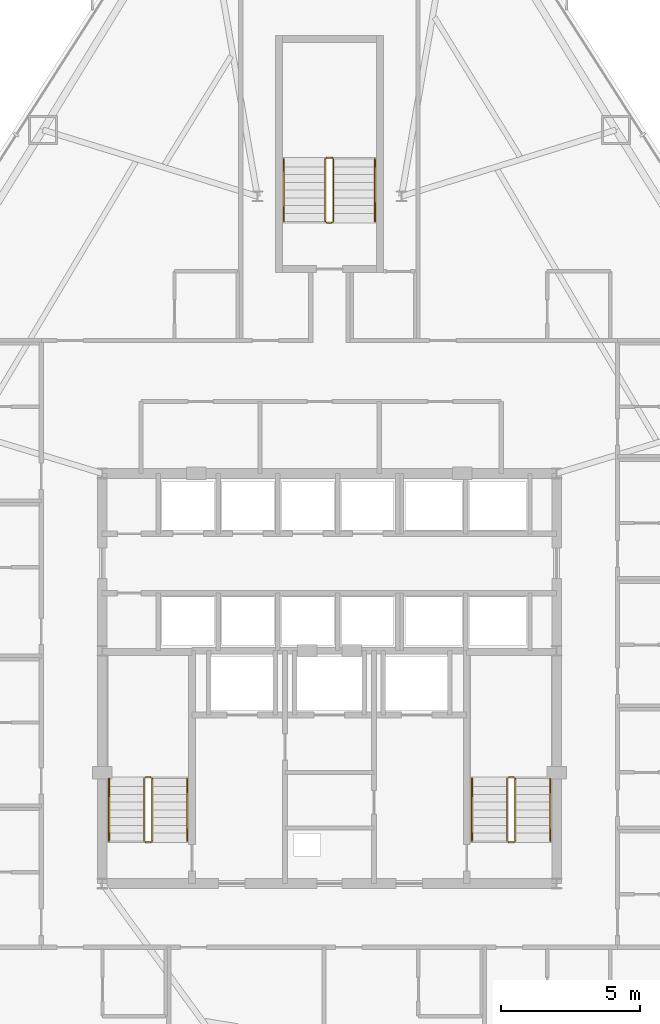
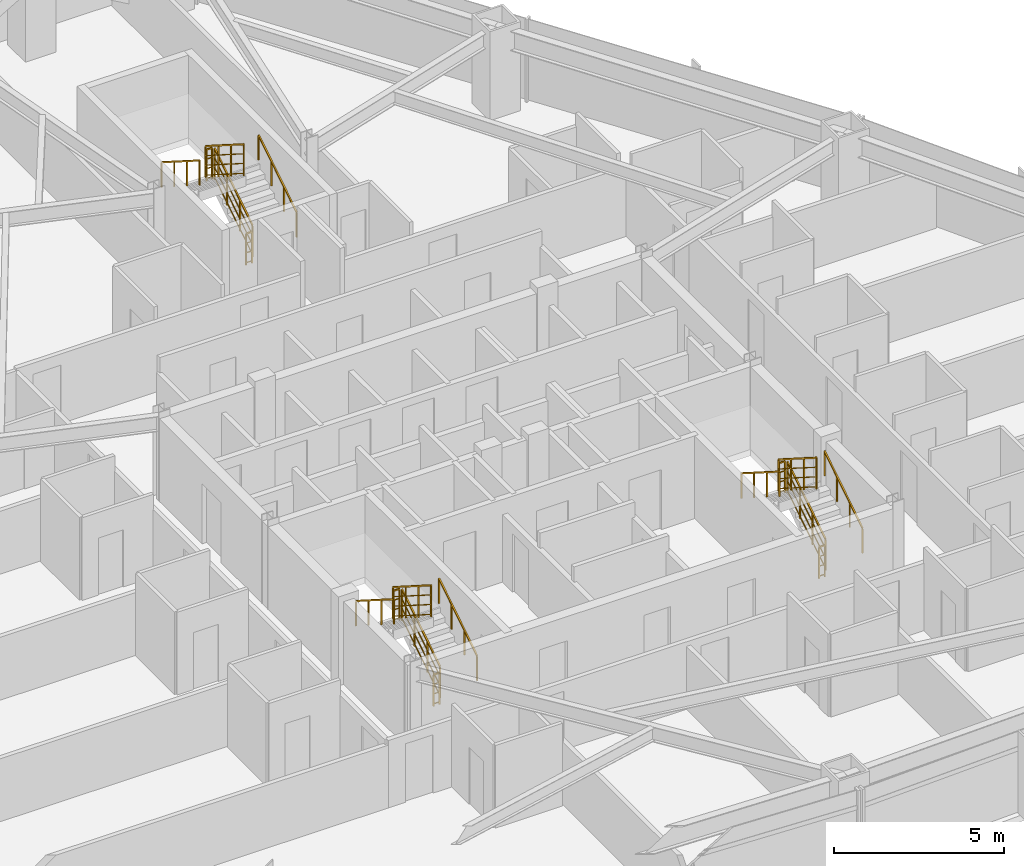
# One storey, part 13 of 13: 18 railings.
"""IFC4 building model written with IfcOpenShell, lengths in metres."""

from ifc_helpers import new_model, si_unit, direction, frame, origin, origin_2d, place, context, subcontext, project, spatial, rectangle, extrude, material, type_object, element, save


model = new_model("IFC4")

# Units and contexts
model_context = context("Model", 3, precision=1e-05, world=origin(), true_north=direction((0.0, 1.0)))
body_context = subcontext(model_context, "Body", "Model", "MODEL_VIEW")
ifc_project = project(units=[si_unit("LENGTHUNIT", "METRE"), si_unit("AREAUNIT", "SQUARE_METRE"), si_unit("VOLUMEUNIT", "CUBIC_METRE"), si_unit("PLANEANGLEUNIT", "RADIAN"), si_unit("MASSUNIT", "GRAM", prefix="KILO")], contexts=[model_context])

# Site, building, storey
site_placement = place(None, origin())
site = spatial("IfcSite", under=ifc_project, at=site_placement, CompositionType="ELEMENT")
building_placement = place(site_placement, origin())
building = spatial("IfcBuilding", under=site, at=building_placement, Name="Varakhsha Concourse Tower", CompositionType="ELEMENT")
storey_placement = place(building_placement, frame((0.0, 0.0, 86.199951171875)))
storey = spatial("IfcBuildingStorey", under=building, at=storey_placement, Name="L24", CompositionType="ELEMENT", Elevation=86.199951171875)

# Railings
ifc_material = material(Name="Brushed Austenitic Stainless Steel AISI 316", Category="steel")
railing_type_1 = type_object("IfcRailingType", Name="RL-STAIR-GUARD-1100", PredefinedType="GUARDRAIL", material=ifc_material)
railing_1_placement = place(storey_placement, frame((33.610107421875, 17.93994140625, 0.177734375)))
element("IfcRailing", 1, at=railing_1_placement, inside=storey, type_object=railing_type_1, Name="L24 ST1 stair guard 1", PredefinedType="GUARDRAIL", context=body_context, shape_type="SweptSolid", body=[
    extrude(rectangle(XDim=0.048095703125, YDim=0.048095703125, at=origin_2d()), frame((0.0, 0.0, 1.1259765625), z_axis=(0.0, 0.84418770128, 0.536047689118), x_axis=(-1.0, 0.0, 0.0)), (0.0, 0.0, 1.0), 2.6533203125),
    extrude(rectangle(XDim=0.028076171875, YDim=0.028076171875, at=origin_2d()), frame((0.0, 0.0, 0.080078125), z_axis=(0.0, 0.84418770128, 0.536047689118), x_axis=(-1.0, 0.0, 0.0)), (0.0, 0.0, 1.0), 2.6533203125),
    extrude(rectangle(XDim=0.028076171875, YDim=0.028076171875, at=origin_2d()), frame((0.0, 0.0, 0.43701171875), z_axis=(0.0, 0.84418770128, 0.536047689118), x_axis=(-1.0, 0.0, 0.0)), (0.0, 0.0, 1.0), 2.6533203125),
    extrude(rectangle(XDim=0.028076171875, YDim=0.028076171875, at=origin_2d()), frame((0.0, 0.0, 0.781982421875), z_axis=(0.0, 0.84418770128, 0.536047689118), x_axis=(-1.0, 0.0, 0.0)), (0.0, 0.0, 1.0), 2.6533203125),
    extrude(rectangle(XDim=0.0419921875, YDim=0.0419921875, at=origin_2d()), origin(), (0.0, 0.0, 1.0), 1.101806640625),
    extrude(rectangle(XDim=0.0419921875, YDim=0.0419921875, at=origin_2d()), frame((0.0, 0.74658203125, 0.47412109375)), (0.0, 0.0, 1.0), 1.101806640625),
    extrude(rectangle(XDim=0.0419921875, YDim=0.0419921875, at=origin_2d()), frame((0.0, 1.493408203125, 0.9482421875)), (0.0, 0.0, 1.0), 1.101806640625),
    extrude(rectangle(XDim=0.0419921875, YDim=0.0419921875, at=origin_2d()), frame((0.0, 2.239990234375, 1.42236328125)), (0.0, 0.0, 1.0), 1.101806640625),
])
railing_2_placement = place(storey_placement, frame((33.56005859375, 20.22998046875, 1.60009765625)))
element("IfcRailing", 2, at=railing_2_placement, inside=storey, type_object=railing_type_1, Name="L24 ST1 stair guard 2", PredefinedType="GUARDRAIL", context=body_context, shape_type="SweptSolid", body=[
    extrude(rectangle(XDim=0.048095703125, YDim=0.048095703125, at=origin_2d()), frame((0.0, 0.0, 1.1259765625), z_axis=(-1.0, 0.0, 0.0), x_axis=(0.0, -1.0, 0.0)), (0.0, 0.0, 1.0), 0.199951171875),
    extrude(rectangle(XDim=0.028076171875, YDim=0.028076171875, at=origin_2d()), frame((0.0, 0.0, 0.080078125), z_axis=(-1.0, 0.0, 0.0), x_axis=(0.0, -1.0, 0.0)), (0.0, 0.0, 1.0), 0.199951171875),
    extrude(rectangle(XDim=0.028076171875, YDim=0.028076171875, at=origin_2d()), frame((0.0, 0.0, 0.43701171875), z_axis=(-1.0, 0.0, 0.0), x_axis=(0.0, -1.0, 0.0)), (0.0, 0.0, 1.0), 0.199951171875),
    extrude(rectangle(XDim=0.028076171875, YDim=0.028076171875, at=origin_2d()), frame((0.0, 0.0, 0.781982421875), z_axis=(-1.0, 0.0, 0.0), x_axis=(0.0, -1.0, 0.0)), (0.0, 0.0, 1.0), 0.199951171875),
    extrude(rectangle(XDim=0.0419921875, YDim=0.0419921875, at=origin_2d()), origin(), (0.0, 0.0, 1.0), 1.101806640625),
    extrude(rectangle(XDim=0.0419921875, YDim=0.0419921875, at=origin_2d()), frame((-0.199951171875, 0.0, 0.0)), (0.0, 0.0, 1.0), 1.101806640625),
])
railing_3_placement = place(storey_placement, frame((33.31005859375, 20.179931640625, 1.77783203125)))
element("IfcRailing", 3, at=railing_3_placement, inside=storey, type_object=railing_type_1, Name="L24 ST1 stair guard 3", PredefinedType="GUARDRAIL", context=body_context, shape_type="SweptSolid", body=[
    extrude(rectangle(XDim=0.048095703125, YDim=0.048095703125, at=origin_2d()), frame((0.0, 0.0, 1.1259765625), z_axis=(0.0, -0.8442293374, 0.53598211339), x_axis=(1.0, 0.0, 0.0)), (0.0, 0.0, 1.0), 2.6533203125),
    extrude(rectangle(XDim=0.028076171875, YDim=0.028076171875, at=origin_2d()), frame((0.0, 0.0, 0.080078125), z_axis=(0.0, -0.8442293374, 0.53598211339), x_axis=(1.0, 0.0, 0.0)), (0.0, 0.0, 1.0), 2.6533203125),
    extrude(rectangle(XDim=0.028076171875, YDim=0.028076171875, at=origin_2d()), frame((0.0, 0.0, 0.43701171875), z_axis=(0.0, -0.8442293374, 0.53598211339), x_axis=(1.0, 0.0, 0.0)), (0.0, 0.0, 1.0), 2.6533203125),
    extrude(rectangle(XDim=0.028076171875, YDim=0.028076171875, at=origin_2d()), frame((0.0, 0.0, 0.781982421875), z_axis=(0.0, -0.8442293374, 0.53598211339), x_axis=(1.0, 0.0, 0.0)), (0.0, 0.0, 1.0), 2.6533203125),
    extrude(rectangle(XDim=0.0419921875, YDim=0.0419921875, at=origin_2d()), origin(), (0.0, 0.0, 1.0), 1.101806640625),
    extrude(rectangle(XDim=0.0419921875, YDim=0.0419921875, at=origin_2d()), frame((0.0, -0.74658203125, 0.47412109375)), (0.0, 0.0, 1.0), 1.101806640625),
    extrude(rectangle(XDim=0.0419921875, YDim=0.0419921875, at=origin_2d()), frame((0.0, -1.493408203125, 0.947998046875)), (0.0, 0.0, 1.0), 1.101806640625),
    extrude(rectangle(XDim=0.0419921875, YDim=0.0419921875, at=origin_2d()), frame((0.0, -2.239990234375, 1.422119140625)), (0.0, 0.0, 1.0), 1.101806640625),
])
railing_4_placement = place(storey_placement, frame((33.56005859375, 17.889892578125, 0.0)))
element("IfcRailing", 4, at=railing_4_placement, inside=storey, type_object=railing_type_1, Name="L24 ST1 stair guard 4", PredefinedType="GUARDRAIL", context=body_context, shape_type="SweptSolid", body=[
    extrude(rectangle(XDim=0.048095703125, YDim=0.048095703125, at=origin_2d()), frame((0.0, 0.0, 1.1259765625), z_axis=(-1.0, 0.0, 0.0), x_axis=(0.0, -1.0, 0.0)), (0.0, 0.0, 1.0), 0.199951171875),
    extrude(rectangle(XDim=0.028076171875, YDim=0.028076171875, at=origin_2d()), frame((0.0, 0.0, 0.080078125), z_axis=(-1.0, 0.0, 0.0), x_axis=(0.0, -1.0, 0.0)), (0.0, 0.0, 1.0), 0.199951171875),
    extrude(rectangle(XDim=0.028076171875, YDim=0.028076171875, at=origin_2d()), frame((0.0, 0.0, 0.43701171875), z_axis=(-1.0, 0.0, 0.0), x_axis=(0.0, -1.0, 0.0)), (0.0, 0.0, 1.0), 0.199951171875),
    extrude(rectangle(XDim=0.028076171875, YDim=0.028076171875, at=origin_2d()), frame((0.0, 0.0, 0.781982421875), z_axis=(-1.0, 0.0, 0.0), x_axis=(0.0, -1.0, 0.0)), (0.0, 0.0, 1.0), 0.199951171875),
    extrude(rectangle(XDim=0.0419921875, YDim=0.0419921875, at=origin_2d()), origin(), (0.0, 0.0, 1.0), 1.101806640625),
    extrude(rectangle(XDim=0.0419921875, YDim=0.0419921875, at=origin_2d()), frame((-0.199951171875, 0.0, 0.0)), (0.0, 0.0, 1.0), 1.101806640625),
])
railing_5_placement = place(storey_placement, frame((46.7099609375, 17.93994140625, 0.177734375)))
element("IfcRailing", 5, at=railing_5_placement, inside=storey, type_object=railing_type_1, Name="L24 ST2 stair guard 1", PredefinedType="GUARDRAIL", context=body_context, shape_type="SweptSolid", body=[
    extrude(rectangle(XDim=0.048095703125, YDim=0.048095703125, at=origin_2d()), frame((0.0, 0.0, 1.1259765625), z_axis=(0.0, 0.84418770128, 0.536047689118), x_axis=(-1.0, 0.0, 0.0)), (0.0, 0.0, 1.0), 2.6533203125),
    extrude(rectangle(XDim=0.028076171875, YDim=0.028076171875, at=origin_2d()), frame((0.0, 0.0, 0.080078125), z_axis=(0.0, 0.84418770128, 0.536047689118), x_axis=(-1.0, 0.0, 0.0)), (0.0, 0.0, 1.0), 2.6533203125),
    extrude(rectangle(XDim=0.028076171875, YDim=0.028076171875, at=origin_2d()), frame((0.0, 0.0, 0.43701171875), z_axis=(0.0, 0.84418770128, 0.536047689118), x_axis=(-1.0, 0.0, 0.0)), (0.0, 0.0, 1.0), 2.6533203125),
    extrude(rectangle(XDim=0.028076171875, YDim=0.028076171875, at=origin_2d()), frame((0.0, 0.0, 0.781982421875), z_axis=(0.0, 0.84418770128, 0.536047689118), x_axis=(-1.0, 0.0, 0.0)), (0.0, 0.0, 1.0), 2.6533203125),
    extrude(rectangle(XDim=0.0419921875, YDim=0.0419921875, at=origin_2d()), origin(), (0.0, 0.0, 1.0), 1.101806640625),
    extrude(rectangle(XDim=0.0419921875, YDim=0.0419921875, at=origin_2d()), frame((0.0, 0.74658203125, 0.47412109375)), (0.0, 0.0, 1.0), 1.101806640625),
    extrude(rectangle(XDim=0.0419921875, YDim=0.0419921875, at=origin_2d()), frame((0.0, 1.493408203125, 0.9482421875)), (0.0, 0.0, 1.0), 1.101806640625),
    extrude(rectangle(XDim=0.0419921875, YDim=0.0419921875, at=origin_2d()), frame((0.0, 2.239990234375, 1.42236328125)), (0.0, 0.0, 1.0), 1.101806640625),
])
railing_6_placement = place(storey_placement, frame((46.659912109375, 20.22998046875, 1.60009765625)))
element("IfcRailing", 6, at=railing_6_placement, inside=storey, type_object=railing_type_1, Name="L24 ST2 stair guard 2", PredefinedType="GUARDRAIL", context=body_context, shape_type="SweptSolid", body=[
    extrude(rectangle(XDim=0.048095703125, YDim=0.048095703125, at=origin_2d()), frame((0.0, 0.0, 1.1259765625), z_axis=(-1.0, 0.0, 0.0), x_axis=(0.0, -1.0, 0.0)), (0.0, 0.0, 1.0), 0.199951171875),
    extrude(rectangle(XDim=0.028076171875, YDim=0.028076171875, at=origin_2d()), frame((0.0, 0.0, 0.080078125), z_axis=(-1.0, 0.0, 0.0), x_axis=(0.0, -1.0, 0.0)), (0.0, 0.0, 1.0), 0.199951171875),
    extrude(rectangle(XDim=0.028076171875, YDim=0.028076171875, at=origin_2d()), frame((0.0, 0.0, 0.43701171875), z_axis=(-1.0, 0.0, 0.0), x_axis=(0.0, -1.0, 0.0)), (0.0, 0.0, 1.0), 0.199951171875),
    extrude(rectangle(XDim=0.028076171875, YDim=0.028076171875, at=origin_2d()), frame((0.0, 0.0, 0.781982421875), z_axis=(-1.0, 0.0, 0.0), x_axis=(0.0, -1.0, 0.0)), (0.0, 0.0, 1.0), 0.199951171875),
    extrude(rectangle(XDim=0.0419921875, YDim=0.0419921875, at=origin_2d()), origin(), (0.0, 0.0, 1.0), 1.101806640625),
    extrude(rectangle(XDim=0.0419921875, YDim=0.0419921875, at=origin_2d()), frame((-0.199951171875, 0.0, 0.0)), (0.0, 0.0, 1.0), 1.101806640625),
])
railing_7_placement = place(storey_placement, frame((46.409912109375, 20.179931640625, 1.77783203125)))
element("IfcRailing", 7, at=railing_7_placement, inside=storey, type_object=railing_type_1, Name="L24 ST2 stair guard 3", PredefinedType="GUARDRAIL", context=body_context, shape_type="SweptSolid", body=[
    extrude(rectangle(XDim=0.048095703125, YDim=0.048095703125, at=origin_2d()), frame((0.0, 0.0, 1.1259765625), z_axis=(0.0, -0.8442293374, 0.53598211339), x_axis=(1.0, 0.0, 0.0)), (0.0, 0.0, 1.0), 2.6533203125),
    extrude(rectangle(XDim=0.028076171875, YDim=0.028076171875, at=origin_2d()), frame((0.0, 0.0, 0.080078125), z_axis=(0.0, -0.8442293374, 0.53598211339), x_axis=(1.0, 0.0, 0.0)), (0.0, 0.0, 1.0), 2.6533203125),
    extrude(rectangle(XDim=0.028076171875, YDim=0.028076171875, at=origin_2d()), frame((0.0, 0.0, 0.43701171875), z_axis=(0.0, -0.8442293374, 0.53598211339), x_axis=(1.0, 0.0, 0.0)), (0.0, 0.0, 1.0), 2.6533203125),
    extrude(rectangle(XDim=0.028076171875, YDim=0.028076171875, at=origin_2d()), frame((0.0, 0.0, 0.781982421875), z_axis=(0.0, -0.8442293374, 0.53598211339), x_axis=(1.0, 0.0, 0.0)), (0.0, 0.0, 1.0), 2.6533203125),
    extrude(rectangle(XDim=0.0419921875, YDim=0.0419921875, at=origin_2d()), origin(), (0.0, 0.0, 1.0), 1.101806640625),
    extrude(rectangle(XDim=0.0419921875, YDim=0.0419921875, at=origin_2d()), frame((0.0, -0.74658203125, 0.47412109375)), (0.0, 0.0, 1.0), 1.101806640625),
    extrude(rectangle(XDim=0.0419921875, YDim=0.0419921875, at=origin_2d()), frame((0.0, -1.493408203125, 0.947998046875)), (0.0, 0.0, 1.0), 1.101806640625),
    extrude(rectangle(XDim=0.0419921875, YDim=0.0419921875, at=origin_2d()), frame((0.0, -2.239990234375, 1.422119140625)), (0.0, 0.0, 1.0), 1.101806640625),
])
railing_8_placement = place(storey_placement, frame((46.659912109375, 17.889892578125, 0.0)))
element("IfcRailing", 8, at=railing_8_placement, inside=storey, type_object=railing_type_1, Name="L24 ST2 stair guard 4", PredefinedType="GUARDRAIL", context=body_context, shape_type="SweptSolid", body=[
    extrude(rectangle(XDim=0.048095703125, YDim=0.048095703125, at=origin_2d()), frame((0.0, 0.0, 1.1259765625), z_axis=(-1.0, 0.0, 0.0), x_axis=(0.0, -1.0, 0.0)), (0.0, 0.0, 1.0), 0.199951171875),
    extrude(rectangle(XDim=0.028076171875, YDim=0.028076171875, at=origin_2d()), frame((0.0, 0.0, 0.080078125), z_axis=(-1.0, 0.0, 0.0), x_axis=(0.0, -1.0, 0.0)), (0.0, 0.0, 1.0), 0.199951171875),
    extrude(rectangle(XDim=0.028076171875, YDim=0.028076171875, at=origin_2d()), frame((0.0, 0.0, 0.43701171875), z_axis=(-1.0, 0.0, 0.0), x_axis=(0.0, -1.0, 0.0)), (0.0, 0.0, 1.0), 0.199951171875),
    extrude(rectangle(XDim=0.028076171875, YDim=0.028076171875, at=origin_2d()), frame((0.0, 0.0, 0.781982421875), z_axis=(-1.0, 0.0, 0.0), x_axis=(0.0, -1.0, 0.0)), (0.0, 0.0, 1.0), 0.199951171875),
    extrude(rectangle(XDim=0.0419921875, YDim=0.0419921875, at=origin_2d()), origin(), (0.0, 0.0, 1.0), 1.101806640625),
    extrude(rectangle(XDim=0.0419921875, YDim=0.0419921875, at=origin_2d()), frame((-0.199951171875, 0.0, 0.0)), (0.0, 0.0, 1.0), 1.101806640625),
])
railing_9_placement = place(storey_placement, frame((40.14990234375, 40.300048828125, 0.177734375)))
element("IfcRailing", 9, at=railing_9_placement, inside=storey, type_object=railing_type_1, Name="L24 ST5 stair guard 1", PredefinedType="GUARDRAIL", context=body_context, shape_type="SweptSolid", body=[
    extrude(rectangle(XDim=0.048095703125, YDim=0.048095703125, at=origin_2d()), frame((0.0, 0.0, 1.1259765625), z_axis=(0.0, 0.84418770128, 0.536047689118), x_axis=(-1.0, 0.0, 0.0)), (0.0, 0.0, 1.0), 2.6533203125),
    extrude(rectangle(XDim=0.028076171875, YDim=0.028076171875, at=origin_2d()), frame((0.0, 0.0, 0.080078125), z_axis=(0.0, 0.84418770128, 0.536047689118), x_axis=(-1.0, 0.0, 0.0)), (0.0, 0.0, 1.0), 2.6533203125),
    extrude(rectangle(XDim=0.028076171875, YDim=0.028076171875, at=origin_2d()), frame((0.0, 0.0, 0.43701171875), z_axis=(0.0, 0.84418770128, 0.536047689118), x_axis=(-1.0, 0.0, 0.0)), (0.0, 0.0, 1.0), 2.6533203125),
    extrude(rectangle(XDim=0.028076171875, YDim=0.028076171875, at=origin_2d()), frame((0.0, 0.0, 0.781982421875), z_axis=(0.0, 0.84418770128, 0.536047689118), x_axis=(-1.0, 0.0, 0.0)), (0.0, 0.0, 1.0), 2.6533203125),
    extrude(rectangle(XDim=0.0419921875, YDim=0.0419921875, at=origin_2d()), origin(), (0.0, 0.0, 1.0), 1.101806640625),
    extrude(rectangle(XDim=0.0419921875, YDim=0.0419921875, at=origin_2d()), frame((0.0, 0.74658203125, 0.47412109375)), (0.0, 0.0, 1.0), 1.101806640625),
    extrude(rectangle(XDim=0.0419921875, YDim=0.0419921875, at=origin_2d()), frame((0.0, 1.493408203125, 0.9482421875)), (0.0, 0.0, 1.0), 1.101806640625),
    extrude(rectangle(XDim=0.0419921875, YDim=0.0419921875, at=origin_2d()), frame((0.0, 2.239990234375, 1.42236328125)), (0.0, 0.0, 1.0), 1.101806640625),
])
railing_10_placement = place(storey_placement, frame((40.10009765625, 42.590087890625, 1.60009765625)))
element("IfcRailing", 10, at=railing_10_placement, inside=storey, type_object=railing_type_1, Name="L24 ST5 stair guard 2", PredefinedType="GUARDRAIL", context=body_context, shape_type="SweptSolid", body=[
    extrude(rectangle(XDim=0.048095703125, YDim=0.048095703125, at=origin_2d()), frame((0.0, 0.0, 1.1259765625), z_axis=(-1.0, 0.0, 0.0), x_axis=(0.0, -1.0, 0.0)), (0.0, 0.0, 1.0), 0.2001953125),
    extrude(rectangle(XDim=0.028076171875, YDim=0.028076171875, at=origin_2d()), frame((0.0, 0.0, 0.080078125), z_axis=(-1.0, 0.0, 0.0), x_axis=(0.0, -1.0, 0.0)), (0.0, 0.0, 1.0), 0.2001953125),
    extrude(rectangle(XDim=0.028076171875, YDim=0.028076171875, at=origin_2d()), frame((0.0, 0.0, 0.43701171875), z_axis=(-1.0, 0.0, 0.0), x_axis=(0.0, -1.0, 0.0)), (0.0, 0.0, 1.0), 0.2001953125),
    extrude(rectangle(XDim=0.028076171875, YDim=0.028076171875, at=origin_2d()), frame((0.0, 0.0, 0.781982421875), z_axis=(-1.0, 0.0, 0.0), x_axis=(0.0, -1.0, 0.0)), (0.0, 0.0, 1.0), 0.2001953125),
    extrude(rectangle(XDim=0.0419921875, YDim=0.0419921875, at=origin_2d()), origin(), (0.0, 0.0, 1.0), 1.101806640625),
    extrude(rectangle(XDim=0.0419921875, YDim=0.0419921875, at=origin_2d()), frame((-0.2001953125, 0.0, 0.0)), (0.0, 0.0, 1.0), 1.101806640625),
])
railing_11_placement = place(storey_placement, frame((39.85009765625, 42.5400390625, 1.77783203125)))
element("IfcRailing", 11, at=railing_11_placement, inside=storey, type_object=railing_type_1, Name="L24 ST5 stair guard 3", PredefinedType="GUARDRAIL", context=body_context, shape_type="SweptSolid", body=[
    extrude(rectangle(XDim=0.048095703125, YDim=0.048095703125, at=origin_2d()), frame((0.0, 0.0, 1.1259765625), z_axis=(0.0, -0.8442293374, 0.53598211339), x_axis=(1.0, 0.0, 0.0)), (0.0, 0.0, 1.0), 2.6533203125),
    extrude(rectangle(XDim=0.028076171875, YDim=0.028076171875, at=origin_2d()), frame((0.0, 0.0, 0.080078125), z_axis=(0.0, -0.8442293374, 0.53598211339), x_axis=(1.0, 0.0, 0.0)), (0.0, 0.0, 1.0), 2.6533203125),
    extrude(rectangle(XDim=0.028076171875, YDim=0.028076171875, at=origin_2d()), frame((0.0, 0.0, 0.43701171875), z_axis=(0.0, -0.8442293374, 0.53598211339), x_axis=(1.0, 0.0, 0.0)), (0.0, 0.0, 1.0), 2.6533203125),
    extrude(rectangle(XDim=0.028076171875, YDim=0.028076171875, at=origin_2d()), frame((0.0, 0.0, 0.781982421875), z_axis=(0.0, -0.8442293374, 0.53598211339), x_axis=(1.0, 0.0, 0.0)), (0.0, 0.0, 1.0), 2.6533203125),
    extrude(rectangle(XDim=0.0419921875, YDim=0.0419921875, at=origin_2d()), origin(), (0.0, 0.0, 1.0), 1.101806640625),
    extrude(rectangle(XDim=0.0419921875, YDim=0.0419921875, at=origin_2d()), frame((0.0, -0.74658203125, 0.47412109375)), (0.0, 0.0, 1.0), 1.101806640625),
    extrude(rectangle(XDim=0.0419921875, YDim=0.0419921875, at=origin_2d()), frame((0.0, -1.493408203125, 0.947998046875)), (0.0, 0.0, 1.0), 1.101806640625),
    extrude(rectangle(XDim=0.0419921875, YDim=0.0419921875, at=origin_2d()), frame((0.0, -2.239990234375, 1.422119140625)), (0.0, 0.0, 1.0), 1.101806640625),
])
railing_12_placement = place(storey_placement, frame((40.10009765625, 40.25, 0.0)))
element("IfcRailing", 12, at=railing_12_placement, inside=storey, type_object=railing_type_1, Name="L24 ST5 stair guard 4", PredefinedType="GUARDRAIL", context=body_context, shape_type="SweptSolid", body=[
    extrude(rectangle(XDim=0.048095703125, YDim=0.048095703125, at=origin_2d()), frame((0.0, 0.0, 1.1259765625), z_axis=(-1.0, 0.0, 0.0), x_axis=(0.0, -1.0, 0.0)), (0.0, 0.0, 1.0), 0.2001953125),
    extrude(rectangle(XDim=0.028076171875, YDim=0.028076171875, at=origin_2d()), frame((0.0, 0.0, 0.080078125), z_axis=(-1.0, 0.0, 0.0), x_axis=(0.0, -1.0, 0.0)), (0.0, 0.0, 1.0), 0.2001953125),
    extrude(rectangle(XDim=0.028076171875, YDim=0.028076171875, at=origin_2d()), frame((0.0, 0.0, 0.43701171875), z_axis=(-1.0, 0.0, 0.0), x_axis=(0.0, -1.0, 0.0)), (0.0, 0.0, 1.0), 0.2001953125),
    extrude(rectangle(XDim=0.028076171875, YDim=0.028076171875, at=origin_2d()), frame((0.0, 0.0, 0.781982421875), z_axis=(-1.0, 0.0, 0.0), x_axis=(0.0, -1.0, 0.0)), (0.0, 0.0, 1.0), 0.2001953125),
    extrude(rectangle(XDim=0.0419921875, YDim=0.0419921875, at=origin_2d()), origin(), (0.0, 0.0, 1.0), 1.101806640625),
    extrude(rectangle(XDim=0.0419921875, YDim=0.0419921875, at=origin_2d()), frame((-0.2001953125, 0.0, 0.0)), (0.0, 0.0, 1.0), 1.101806640625),
])
railing_type_2 = type_object("IfcRailingType", Name="RL-STAIR-RAIL-915", PredefinedType="HANDRAIL", material=ifc_material)
railing_13_placement = place(storey_placement, frame((34.8701171875, 17.93994140625, 0.355712890625)))
element("IfcRailing", 13, at=railing_13_placement, inside=storey, type_object=railing_type_2, Name="L24 ST1 stair handrail 1", PredefinedType="HANDRAIL", context=body_context, shape_type="SweptSolid", body=[
    extrude(rectangle(XDim=0.048095703125, YDim=0.048095703125, at=origin_2d()), frame((0.0, 0.0, 0.89111328125), z_axis=(0.0, 0.8442293374, 0.53598211339), x_axis=(-1.0, 0.0, 0.0)), (0.0, 0.0, 1.0), 2.6533203125),
    extrude(rectangle(XDim=0.0419921875, YDim=0.0419921875, at=origin_2d()), origin(), (0.0, 0.0, 1.0), 0.866943359375),
    extrude(rectangle(XDim=0.0419921875, YDim=0.0419921875, at=origin_2d()), frame((0.0, 0.74658203125, 0.47412109375)), (0.0, 0.0, 1.0), 0.866943359375),
    extrude(rectangle(XDim=0.0419921875, YDim=0.0419921875, at=origin_2d()), frame((0.0, 1.493408203125, 0.947998046875)), (0.0, 0.0, 1.0), 0.866943359375),
    extrude(rectangle(XDim=0.0419921875, YDim=0.0419921875, at=origin_2d()), frame((0.0, 2.239990234375, 1.422119140625)), (0.0, 0.0, 1.0), 0.866943359375),
])
railing_14_placement = place(storey_placement, frame((32.050048828125, 20.179931640625, 1.95556640625)))
element("IfcRailing", 14, at=railing_14_placement, inside=storey, type_object=railing_type_2, Name="L24 ST1 stair handrail 2", PredefinedType="HANDRAIL", context=body_context, shape_type="SweptSolid", body=[
    extrude(rectangle(XDim=0.048095703125, YDim=0.048095703125, at=origin_2d()), frame((0.0, 0.0, 0.89111328125), z_axis=(0.0, -0.84418770128, 0.536047689118), x_axis=(1.0, 0.0, 0.0)), (0.0, 0.0, 1.0), 2.6533203125),
    extrude(rectangle(XDim=0.0419921875, YDim=0.0419921875, at=origin_2d()), origin(), (0.0, 0.0, 1.0), 0.866943359375),
    extrude(rectangle(XDim=0.0419921875, YDim=0.0419921875, at=origin_2d()), frame((0.0, -0.74658203125, 0.47412109375)), (0.0, 0.0, 1.0), 0.866943359375),
    extrude(rectangle(XDim=0.0419921875, YDim=0.0419921875, at=origin_2d()), frame((0.0, -1.493408203125, 0.9482421875)), (0.0, 0.0, 1.0), 0.866943359375),
    extrude(rectangle(XDim=0.0419921875, YDim=0.0419921875, at=origin_2d()), frame((0.0, -2.239990234375, 1.42236328125)), (0.0, 0.0, 1.0), 0.866943359375),
])
railing_15_placement = place(storey_placement, frame((47.969970703125, 17.93994140625, 0.355712890625)))
element("IfcRailing", 15, at=railing_15_placement, inside=storey, type_object=railing_type_2, Name="L24 ST2 stair handrail 1", PredefinedType="HANDRAIL", context=body_context, shape_type="SweptSolid", body=[
    extrude(rectangle(XDim=0.048095703125, YDim=0.048095703125, at=origin_2d()), frame((0.0, 0.0, 0.89111328125), z_axis=(0.0, 0.8442293374, 0.53598211339), x_axis=(-1.0, 0.0, 0.0)), (0.0, 0.0, 1.0), 2.6533203125),
    extrude(rectangle(XDim=0.0419921875, YDim=0.0419921875, at=origin_2d()), origin(), (0.0, 0.0, 1.0), 0.866943359375),
    extrude(rectangle(XDim=0.0419921875, YDim=0.0419921875, at=origin_2d()), frame((0.0, 0.74658203125, 0.47412109375)), (0.0, 0.0, 1.0), 0.866943359375),
    extrude(rectangle(XDim=0.0419921875, YDim=0.0419921875, at=origin_2d()), frame((0.0, 1.493408203125, 0.947998046875)), (0.0, 0.0, 1.0), 0.866943359375),
    extrude(rectangle(XDim=0.0419921875, YDim=0.0419921875, at=origin_2d()), frame((0.0, 2.239990234375, 1.422119140625)), (0.0, 0.0, 1.0), 0.866943359375),
])
railing_16_placement = place(storey_placement, frame((45.14990234375, 20.179931640625, 1.95556640625)))
element("IfcRailing", 16, at=railing_16_placement, inside=storey, type_object=railing_type_2, Name="L24 ST2 stair handrail 2", PredefinedType="HANDRAIL", context=body_context, shape_type="SweptSolid", body=[
    extrude(rectangle(XDim=0.048095703125, YDim=0.048095703125, at=origin_2d()), frame((0.0, 0.0, 0.89111328125), z_axis=(0.0, -0.84418770128, 0.536047689118), x_axis=(1.0, 0.0, 0.0)), (0.0, 0.0, 1.0), 2.6533203125),
    extrude(rectangle(XDim=0.0419921875, YDim=0.0419921875, at=origin_2d()), origin(), (0.0, 0.0, 1.0), 0.866943359375),
    extrude(rectangle(XDim=0.0419921875, YDim=0.0419921875, at=origin_2d()), frame((0.0, -0.74658203125, 0.47412109375)), (0.0, 0.0, 1.0), 0.866943359375),
    extrude(rectangle(XDim=0.0419921875, YDim=0.0419921875, at=origin_2d()), frame((0.0, -1.493408203125, 0.9482421875)), (0.0, 0.0, 1.0), 0.866943359375),
    extrude(rectangle(XDim=0.0419921875, YDim=0.0419921875, at=origin_2d()), frame((0.0, -2.239990234375, 1.42236328125)), (0.0, 0.0, 1.0), 0.866943359375),
])
railing_17_placement = place(storey_placement, frame((41.64990234375, 40.300048828125, 0.355712890625)))
element("IfcRailing", 17, at=railing_17_placement, inside=storey, type_object=railing_type_2, Name="L24 ST5 stair handrail 1", PredefinedType="HANDRAIL", context=body_context, shape_type="SweptSolid", body=[
    extrude(rectangle(XDim=0.048095703125, YDim=0.048095703125, at=origin_2d()), frame((0.0, 0.0, 0.89111328125), z_axis=(0.0, 0.8442293374, 0.53598211339), x_axis=(-1.0, 0.0, 0.0)), (0.0, 0.0, 1.0), 2.6533203125),
    extrude(rectangle(XDim=0.0419921875, YDim=0.0419921875, at=origin_2d()), origin(), (0.0, 0.0, 1.0), 0.866943359375),
    extrude(rectangle(XDim=0.0419921875, YDim=0.0419921875, at=origin_2d()), frame((0.0, 0.74658203125, 0.47412109375)), (0.0, 0.0, 1.0), 0.866943359375),
    extrude(rectangle(XDim=0.0419921875, YDim=0.0419921875, at=origin_2d()), frame((0.0, 1.493408203125, 0.947998046875)), (0.0, 0.0, 1.0), 0.866943359375),
    extrude(rectangle(XDim=0.0419921875, YDim=0.0419921875, at=origin_2d()), frame((0.0, 2.239990234375, 1.422119140625)), (0.0, 0.0, 1.0), 0.866943359375),
])
railing_18_placement = place(storey_placement, frame((38.35009765625, 42.5400390625, 1.95556640625)))
element("IfcRailing", 18, at=railing_18_placement, inside=storey, type_object=railing_type_2, Name="L24 ST5 stair handrail 2", PredefinedType="HANDRAIL", context=body_context, shape_type="SweptSolid", body=[
    extrude(rectangle(XDim=0.048095703125, YDim=0.048095703125, at=origin_2d()), frame((0.0, 0.0, 0.89111328125), z_axis=(0.0, -0.84418770128, 0.536047689118), x_axis=(1.0, 0.0, 0.0)), (0.0, 0.0, 1.0), 2.6533203125),
    extrude(rectangle(XDim=0.0419921875, YDim=0.0419921875, at=origin_2d()), origin(), (0.0, 0.0, 1.0), 0.866943359375),
    extrude(rectangle(XDim=0.0419921875, YDim=0.0419921875, at=origin_2d()), frame((0.0, -0.74658203125, 0.47412109375)), (0.0, 0.0, 1.0), 0.866943359375),
    extrude(rectangle(XDim=0.0419921875, YDim=0.0419921875, at=origin_2d()), frame((0.0, -1.493408203125, 0.9482421875)), (0.0, 0.0, 1.0), 0.866943359375),
    extrude(rectangle(XDim=0.0419921875, YDim=0.0419921875, at=origin_2d()), frame((0.0, -2.239990234375, 1.42236328125)), (0.0, 0.0, 1.0), 0.866943359375),
])

save(model, "model.ifc")
